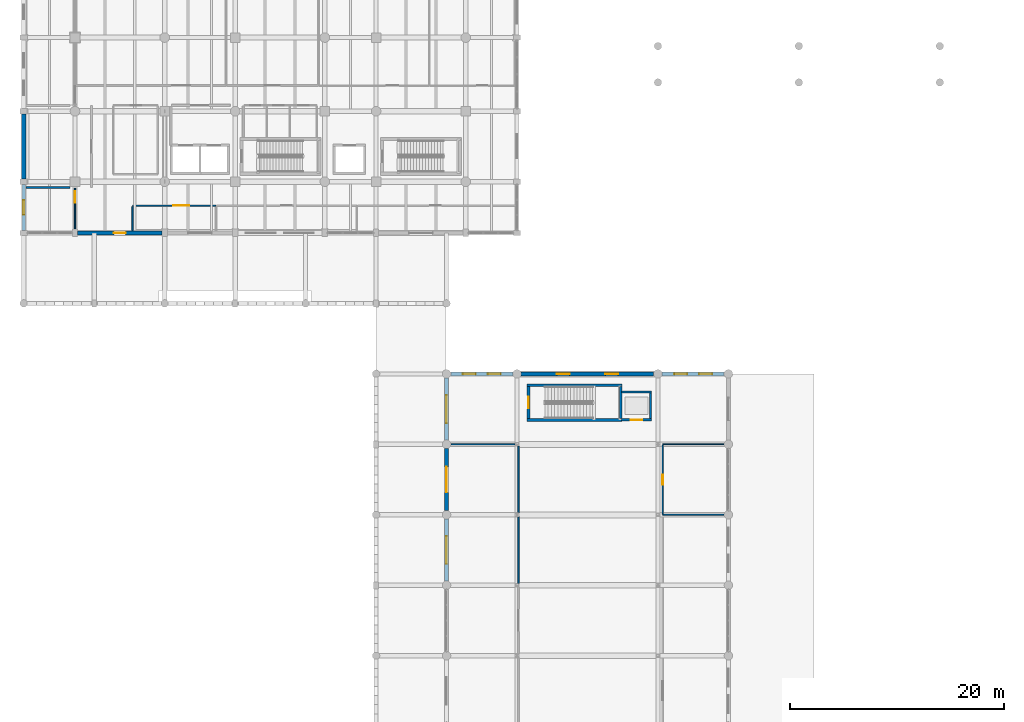
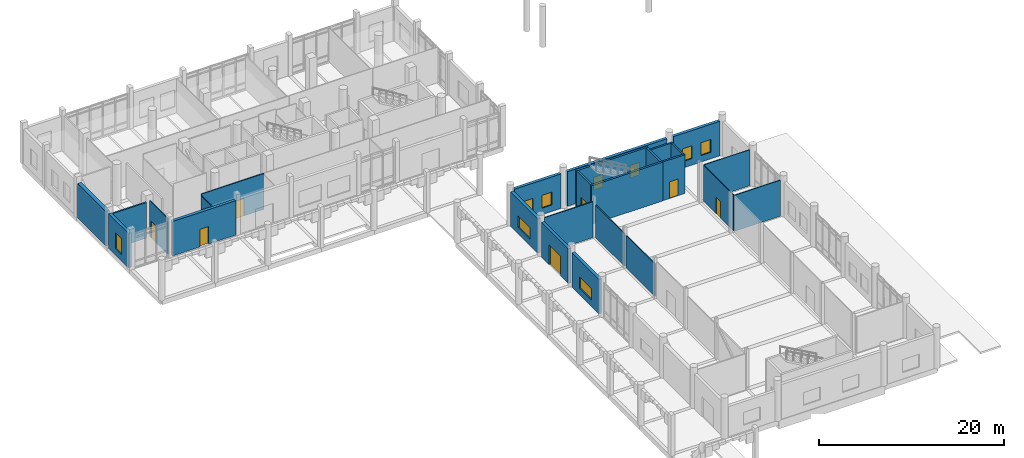
# One storey, part 48 of 72: 26 walls, 9 windows, 7 doors, 16 openings.
"""IFC4 building model written with IfcOpenShell, lengths in metres."""

from ifc_helpers import new_model, si_unit, direction, frame, frame_2d, origin, place, context, subcontext, project, spatial, rectangle, extrude, material, layer, layer_set, type_object, element, fill, save


model = new_model("IFC4")

# Units and contexts
model_context = context("Model", 3, precision=1e-05, world=origin(), true_north=direction((0.0, 1.0)))
body_context = subcontext(model_context, "Body", "Model", "MODEL_VIEW")
ifc_project = project(units=[si_unit("LENGTHUNIT", "METRE"), si_unit("AREAUNIT", "SQUARE_METRE"), si_unit("VOLUMEUNIT", "CUBIC_METRE"), si_unit("PLANEANGLEUNIT", "RADIAN"), si_unit("MASSUNIT", "GRAM", prefix="KILO")], contexts=[model_context])

# Site, building, storey
site_placement = place(None, origin())
site = spatial("IfcSite", under=ifc_project, at=site_placement, CompositionType="ELEMENT")
building_placement = place(site_placement, origin())
building = spatial("IfcBuilding", under=site, at=building_placement, Name="Dornvale Research Institute", CompositionType="ELEMENT")
storey_placement = place(building_placement, origin())
storey = spatial("IfcBuildingStorey", under=building, at=storey_placement, Name="L00", CompositionType="ELEMENT", Elevation=0.0)

# Wall, opening, door
ifc_material_1 = material(Name="Acoustic Insulated Double-Stud Laboratory Partition")
ifc_layer_1 = layer(ifc_material_1, 0.1201171875)
ifc_layer_set_1 = layer_set([ifc_layer_1], Name="Acoustic Insulated Double-Stud Laboratory Partition")
wall_type_1 = type_object("IfcWallType", Name="Partition_Dry_120", PredefinedType="PARTITIONING", material=ifc_layer_set_1)
wall_1_placement = place(storey_placement, frame((10.199951171875, 101.550048828125, 0.0), z_axis=(0.0, 0.0, 1.0), x_axis=(1.0, 0.0, 0.0)))
wall_1 = element("IfcWall", 1, at=wall_1_placement, inside=storey, type_object=wall_type_1, Name="L00 V5 interior partition #85", PredefinedType="PARTITIONING", context=body_context, shape_type="SweptSolid", body=[
    extrude(rectangle(XDim=7.800048828125, YDim=0.1201171875, at=frame_2d((3.89990234375, 0.0))), origin(), (0.0, 0.0, 1.0), 4.72998046875),
])
opening_1_placement = place(wall_1_placement, frame((3.81005859375, 0.0, 0.0)))
opening_1 = element("IfcOpeningElement", 2, at=opening_1_placement, cuts=wall_1, Name="Opening ID-13", PredefinedType="OPENING", context=body_context, shape_type="SweptSolid", body=[
    extrude(rectangle(XDim=1.47998046875, YDim=2.300048828125, at=frame_2d((0.739990234375, 1.14990234375))), frame((0.0, 0.074951171875, 0.0), z_axis=(0.0, -1.0, 0.0), x_axis=(1.0, 0.0, 0.0)), (0.0, 0.0, 1.0), 0.150146484375),
])
ifc_material_2 = material(Name="Insulated Fire-Rated Hollow Metal Door Assembly")
door_type_1 = type_object("IfcDoorType", Name="Door_Archive_1480x2300", OperationType="SINGLE_SWING_LEFT", PredefinedType="DOOR", material=ifc_material_2)
door_1_placement = place(opening_1_placement, origin())
door_1 = element("IfcDoor", 3, at=door_1_placement, inside=storey, type_object=door_type_1, Name="L00 Institute Fellows Reading Room door #38", OperationType="SINGLE_SWING_LEFT", OverallHeight=2.300048828125, OverallWidth=1.47998046875, PredefinedType="DOOR", context=body_context, shape_type="SweptSolid", body=[
    extrude(rectangle(XDim=1.47998046875, YDim=2.300048828125, at=frame_2d((0.739990234375, 1.14990234375))), frame((0.0, 0.02490234375, 0.0), z_axis=(0.0, -1.0, 0.0), x_axis=(1.0, 0.0, 0.0)), (0.0, 0.0, 1.0), 0.050048828125),
])
fill(opening_1, door_1)

# Walls
wall_2_placement = place(storey_placement, frame((10.199951171875, 99.195068359375, 0.0), z_axis=(0.0, 0.0, 1.0), x_axis=(0.0, 1.0, 0.0)))
element("IfcWall", 4, at=wall_2_placement, inside=storey, type_object=wall_type_1, Name="L00 V5 interior partition #86", PredefinedType="PARTITIONING", context=body_context, shape_type="SweptSolid", body=[
    extrude(rectangle(XDim=2.280029296875, YDim=0.1201171875, at=frame_2d((1.14013671875, 0.0))), origin(), (0.0, 0.0, 1.0), 4.530029296875),
])
wall_3_placement = place(storey_placement, frame((40.02001953125, 79.199951171875, 0.0), z_axis=(0.0, 0.0, 1.0), x_axis=(1.0, 0.0, 0.0)))
element("IfcWall", 5, at=wall_3_placement, inside=storey, type_object=wall_type_1, Name="L00 V2 interior partition #131", PredefinedType="PARTITIONING", context=body_context, shape_type="SweptSolid", body=[
    extrude(rectangle(XDim=6.007568359375, YDim=0.1201171875, at=frame_2d((3.00390625, 0.0))), origin(), (0.0, 0.0, 1.0), 4.72998046875),
])
for number, where, z_axis, x_axis, name in (
    (6, (46.35009765625, 66.172607421875, 0.0), (0.0, 0.0, 1.0), (0.0, 1.0, 0.0), "L00 V2 interior partition #135"),
    (7, (46.35009765625, 72.798095703125, 0.0), (0.0, 0.0, 1.0), (0.0, 1.0, 0.0), "L00 V2 interior partition #136"),
):
    element("IfcWall", number, at=place(storey_placement, frame(where, z_axis=z_axis, x_axis=x_axis)), inside=storey, type_object=wall_type_1, Name=name, PredefinedType="PARTITIONING", context=body_context, shape_type="SweptSolid", body=[
        extrude(rectangle(XDim=6.2294921875, YDim=0.1201171875, at=frame_2d((3.11474609375, 0.0))), origin(), (0.0, 0.0, 1.0), 4.280029296875),
    ])
wall_4_placement = place(storey_placement, frame((59.85009765625, 72.60009765625, 0.0), z_axis=(0.0, 0.0, 1.0), x_axis=(1.0, 0.0, 0.0)))
element("IfcWall", 8, at=wall_4_placement, inside=storey, type_object=wall_type_1, Name="L00 V2 interior partition #138", PredefinedType="PARTITIONING", context=body_context, shape_type="SweptSolid", body=[
    extrude(rectangle(XDim=5.72998046875, YDim=0.1201171875, at=frame_2d((2.864990234375, 0.0))), origin(), (0.0, 0.0, 1.0), 4.72998046875),
])
ifc_material_3 = material(Name="Fire-Rated Gypsum Board on Cold-Formed Steel Studs", Category="steel")
ifc_layer_2 = layer(ifc_material_3, 0.199951171875)
ifc_layer_set_2 = layer_set([ifc_layer_2], Name="Fire-Rated Gypsum Board on Cold-Formed Steel Studs")
wall_type_2 = type_object("IfcWallType", Name="Partition_FireWall_200", PredefinedType="PARTITIONING", material=ifc_layer_set_2)
wall_5_placement = place(storey_placement, frame((0.195068359375, 103.25, 0.0), z_axis=(0.0, 0.0, 1.0), x_axis=(1.0, 0.0, 0.0)))
element("IfcWall", 9, at=wall_5_placement, inside=storey, type_object=wall_type_2, Name="L00 V5 interior partition #68", PredefinedType="PARTITIONING", context=body_context, shape_type="SweptSolid", body=[
    extrude(rectangle(XDim=4.135009765625, YDim=0.199951171875, at=frame_2d((2.0673828125, 0.0))), origin(), (0.0, 0.0, 1.0), 4.679931640625),
])

# Wall, opening, door
ifc_material_4 = material(Name="Acoustic Insulated Double-Stud Laboratory Partition")
ifc_layer_3 = layer(ifc_material_4, 0.10009765625)
ifc_layer_set_3 = layer_set([ifc_layer_3], Name="Acoustic Insulated Double-Stud Laboratory Partition")
wall_type_3 = type_object("IfcWallType", Name="Partition_Office_100", PredefinedType="PARTITIONING", material=ifc_layer_set_3)
wall_6_placement = place(storey_placement, frame((4.800048828125, 99.3701171875, 0.0), z_axis=(0.0, 0.0, 1.0), x_axis=(0.0, 1.0, 0.0)))
wall_6 = element("IfcWall", 10, at=wall_6_placement, inside=storey, type_object=wall_type_3, Name="L00 V5 interior partition #84", PredefinedType="PARTITIONING", context=body_context, shape_type="SweptSolid", body=[
    extrude(rectangle(XDim=3.829833984375, YDim=0.10009765625, at=frame_2d((1.9150390625, 0.0))), origin(), (0.0, 0.0, 1.0), 4.72998046875),
])
opening_2_placement = place(wall_6_placement, frame((2.47998046875, 0.0, 0.0)))
opening_2 = element("IfcOpeningElement", 11, at=opening_2_placement, cuts=wall_6, Name="Opening ID-19", PredefinedType="OPENING", context=body_context, shape_type="SweptSolid", body=[
    extrude(rectangle(XDim=1.06005859375, YDim=2.199951171875, at=frame_2d((0.530029296875, 1.10009765625))), frame((0.0, 0.06494140625, 0.0), z_axis=(0.0, -1.0, 0.0), x_axis=(1.0, 0.0, 0.0)), (0.0, 0.0, 1.0), 0.130126953125),
])
ifc_material_5 = material(Name="Phenolic-Faced Solid-Core Laboratory Door Assembly")
door_type_2 = type_object("IfcDoorType", Name="Door_WriteUp_1060x2200", OperationType="SINGLE_SWING_LEFT", PredefinedType="DOOR", material=ifc_material_5)
door_2_placement = place(opening_2_placement, origin())
door_2 = element("IfcDoor", 12, at=door_2_placement, inside=storey, type_object=door_type_2, Name="L00 Research Instrument Study L00 door #37", OperationType="SINGLE_SWING_RIGHT", OverallHeight=2.199951171875, OverallWidth=1.06005859375, PredefinedType="DOOR", context=body_context, shape_type="SweptSolid", body=[
    extrude(rectangle(XDim=1.06005859375, YDim=2.199951171875, at=frame_2d((0.530029296875, 1.10009765625))), frame((0.0, 0.02490234375, 0.0), z_axis=(0.0, -1.0, 0.0), x_axis=(1.0, 0.0, 0.0)), (0.0, 0.0, 1.0), 0.050048828125),
])
fill(opening_2, door_2)

# Wall
wall_7_placement = place(storey_placement, frame((59.85009765625, 79.199951171875, 0.0), z_axis=(0.0, 0.0, 1.0), x_axis=(1.0, 0.0, 0.0)))
element("IfcWall", 13, at=wall_7_placement, inside=storey, type_object=wall_type_3, Name="L00 V2 interior partition #140", PredefinedType="PARTITIONING", context=body_context, shape_type="SweptSolid", body=[
    extrude(rectangle(XDim=5.72998046875, YDim=0.10009765625, at=frame_2d((2.864990234375, 0.0))), origin(), (0.0, 0.0, 1.0), 4.72998046875),
])

# Wall, opening, door
wall_8_placement = place(storey_placement, frame((59.85009765625, 72.675048828125, 0.0), z_axis=(0.0, 0.0, 1.0), x_axis=(0.0, 1.0, 0.0)))
wall_8 = element("IfcWall", 14, at=wall_8_placement, inside=storey, type_object=wall_type_3, Name="L00 V2 interior partition #141", PredefinedType="PARTITIONING", context=body_context, shape_type="SweptSolid", body=[
    extrude(rectangle(XDim=6.4599609375, YDim=0.10009765625, at=frame_2d((3.22998046875, 0.0))), origin(), (0.0, 0.0, 1.0), 4.72998046875),
])
opening_3_placement = place(wall_8_placement, frame((2.75, 0.0, 0.0)))
opening_3 = element("IfcOpeningElement", 15, at=opening_3_placement, cuts=wall_8, Name="Opening ID-23", PredefinedType="OPENING", context=body_context, shape_type="SweptSolid", body=[
    extrude(rectangle(XDim=0.949951171875, YDim=2.14990234375, at=frame_2d((0.47509765625, 1.074951171875))), frame((0.0, 0.06494140625, 0.0), z_axis=(0.0, -1.0, 0.0), x_axis=(1.0, 0.0, 0.0)), (0.0, 0.0, 1.0), 0.130126953125),
])
ifc_material_6 = material(Name="Phenolic-Faced Solid-Core Laboratory Door Assembly")
door_type_3 = type_object("IfcDoorType", Name="Door_WC_950x2150", OperationType="SINGLE_SWING_LEFT", PredefinedType="DOOR", material=ifc_material_6)
door_3_placement = place(opening_3_placement, origin())
door_3 = element("IfcDoor", 16, at=door_3_placement, inside=storey, type_object=door_type_3, Name="L00 Atrium Public and Accessible Restrooms L00 door #57", OperationType="SINGLE_SWING_RIGHT", OverallHeight=2.14990234375, OverallWidth=0.949951171875, PredefinedType="DOOR", context=body_context, shape_type="SweptSolid", body=[
    extrude(rectangle(XDim=0.949951171875, YDim=2.14990234375, at=frame_2d((0.47509765625, 1.074951171875))), frame((0.0, 0.02490234375, 0.0), z_axis=(0.0, -1.0, 0.0), x_axis=(1.0, 0.0, 0.0)), (0.0, 0.0, 1.0), 0.050048828125),
])
fill(opening_3, door_3)

# Walls
ifc_material_7 = material(Name="Concrete f'c 45 MPa (C35/45)", Category="concrete")
ifc_layer_4 = layer(ifc_material_7, 0.25)
ifc_layer_set_4 = layer_set([ifc_layer_4], Name="Concrete f'c 45 MPa (C35/45)")
wall_type_4 = type_object("IfcWallType", Name="ShearWall_Core_250", PredefinedType="SHEAR", material=ifc_layer_set_4)
for number, where, z_axis, x_axis, name in (
    (17, (47.14990234375, 81.47509765625, 0.0), (0.0, 0.0, 1.0), (1.0, 0.0, 0.0), "L00 ST-8 shaft shear wall south"),
    (18, (47.14990234375, 84.72509765625, 0.0), (0.0, 0.0, 1.0), (1.0, 0.0, 0.0), "L00 ST-8 shaft shear wall north"),
):
    element("IfcWall", number, at=place(storey_placement, frame(where, z_axis=z_axis, x_axis=x_axis)), inside=storey, type_object=wall_type_4, Name=name, PredefinedType="SHEAR", context=body_context, shape_type="SweptSolid", body=[
        extrude(rectangle(XDim=8.900146484375, YDim=0.25, at=frame_2d((4.4501953125, 0.0))), origin(), (0.0, 0.0, 1.0), 5.10009765625),
    ])

# Wall, opening, door
wall_9_placement = place(storey_placement, frame((47.27490234375, 81.60009765625, 0.0), z_axis=(0.0, 0.0, 1.0), x_axis=(0.0, 1.0, 0.0)))
wall_9 = element("IfcWall", 19, at=wall_9_placement, inside=storey, type_object=wall_type_4, Name="L00 ST-8 shaft shear wall west", PredefinedType="SHEAR", context=body_context, shape_type="SweptSolid", body=[
    extrude(rectangle(XDim=3.0, YDim=0.25, at=frame_2d((1.5, 0.0))), origin(), (0.0, 0.0, 1.0), 5.10009765625),
])
opening_4_placement = place(wall_9_placement, frame((0.9599609375, 0.0, 0.0)))
opening_4 = element("IfcOpeningElement", 20, at=opening_4_placement, cuts=wall_9, Name="Opening SD-02", PredefinedType="OPENING", context=body_context, shape_type="SweptSolid", body=[
    extrude(rectangle(XDim=1.080078125, YDim=2.199951171875, at=frame_2d((0.5400390625, 1.10009765625))), frame((0.0, 0.139892578125, 0.0), z_axis=(0.0, -1.0, 0.0), x_axis=(1.0, 0.0, 0.0)), (0.0, 0.0, 1.0), 0.280029296875),
])
ifc_material_8 = material(Name="Insulated Fire-Rated Hollow Metal Door Assembly")
door_type_4 = type_object("IfcDoorType", Name="Door_Stair_1080x2200", OperationType="SINGLE_SWING_LEFT", PredefinedType="DOOR", material=ifc_material_8)
door_4_placement = place(opening_4_placement, origin())
door_4 = element("IfcDoor", 21, at=door_4_placement, inside=storey, type_object=door_type_4, Name="L00 ST-8 exit stair door #55", OperationType="SINGLE_SWING_LEFT", OverallHeight=2.199951171875, OverallWidth=1.080078125, PredefinedType="DOOR", context=body_context, shape_type="SweptSolid", body=[
    extrude(rectangle(XDim=1.080078125, YDim=2.199951171875, at=frame_2d((0.5400390625, 1.10009765625))), frame((0.0, 0.02490234375, 0.0), z_axis=(0.0, -1.0, 0.0), x_axis=(1.0, 0.0, 0.0)), (0.0, 0.0, 1.0), 0.050048828125),
])
fill(opening_4, door_4)

# Wall
wall_10_placement = place(storey_placement, frame((55.925048828125, 81.60009765625, 0.0), z_axis=(0.0, 0.0, 1.0), x_axis=(0.0, 1.0, 0.0)))
element("IfcWall", 22, at=wall_10_placement, inside=storey, type_object=wall_type_4, Name="L00 ST-8 shaft shear wall east", PredefinedType="SHEAR", context=body_context, shape_type="SweptSolid", body=[
    extrude(rectangle(XDim=3.0, YDim=0.25, at=frame_2d((1.5, 0.0))), origin(), (0.0, 0.0, 1.0), 5.10009765625),
])

# Wall, opening, door
ifc_material_9 = material(Name="Concrete f'c 45 MPa (C35/45)", Category="concrete")
ifc_layer_5 = layer(ifc_material_9, 0.219970703125)
ifc_layer_set_5 = layer_set([ifc_layer_5], Name="Concrete f'c 45 MPa (C35/45)")
wall_type_5 = type_object("IfcWallType", Name="ShearWall_Shaft_220", PredefinedType="SHEAR", material=ifc_layer_set_5)
wall_11_placement = place(storey_placement, frame((55.97998046875, 81.489990234375, 0.0), z_axis=(0.0, 0.0, 1.0), x_axis=(1.0, 0.0, 0.0)))
wall_11 = element("IfcWall", 23, at=wall_11_placement, inside=storey, type_object=wall_type_5, Name="L00 LP3 elevator shaft wall south", PredefinedType="SHEAR", context=body_context, shape_type="SweptSolid", body=[
    extrude(rectangle(XDim=2.840087890625, YDim=0.219970703125, at=frame_2d((1.419921875, 0.0))), origin(), (0.0, 0.0, 1.0), 5.10009765625),
])
opening_5_placement = place(wall_11_placement, frame((0.8701171875, 0.0, 0.0)))
opening_5 = element("IfcOpeningElement", 24, at=opening_5_placement, cuts=wall_11, Name="Opening LD-02", PredefinedType="OPENING", context=body_context, shape_type="SweptSolid", body=[
    extrude(rectangle(XDim=1.10009765625, YDim=2.199951171875, at=frame_2d((0.550048828125, 1.10009765625))), frame((0.0, 0.125, 0.0), z_axis=(0.0, -1.0, 0.0), x_axis=(1.0, 0.0, 0.0)), (0.0, 0.0, 1.0), 0.25),
])
ifc_material_10 = material(Name="Brushed Stainless Steel Sliding Elevator Landing Door", Category="steel")
door_type_5 = type_object("IfcDoorType", Name="Door_LiftLanding_Pass_1100x2200", OperationType="SINGLE_SWING_LEFT", PredefinedType="DOOR", material=ifc_material_10)
door_5_placement = place(opening_5_placement, origin())
door_5 = element("IfcDoor", 25, at=door_5_placement, inside=storey, type_object=door_type_5, Name="L00 LP3 sliding elevator landing door #58", OperationType="SLIDING_TO_LEFT", OverallHeight=2.199951171875, OverallWidth=1.10009765625, PredefinedType="DOOR", context=body_context, shape_type="SweptSolid", body=[
    extrude(rectangle(XDim=1.10009765625, YDim=2.199951171875, at=frame_2d((0.550048828125, 1.10009765625))), frame((0.0, 0.02490234375, 0.0), z_axis=(0.0, -1.0, 0.0), x_axis=(1.0, 0.0, 0.0)), (0.0, 0.0, 1.0), 0.050048828125),
])
fill(opening_5, door_5)

# Walls
wall_12_placement = place(storey_placement, frame((55.97998046875, 84.110107421875, 0.0), z_axis=(0.0, 0.0, 1.0), x_axis=(1.0, 0.0, 0.0)))
element("IfcWall", 26, at=wall_12_placement, inside=storey, type_object=wall_type_5, Name="L00 LP3 elevator shaft wall north", PredefinedType="SHEAR", context=body_context, shape_type="SweptSolid", body=[
    extrude(rectangle(XDim=2.840087890625, YDim=0.219970703125, at=frame_2d((1.419921875, 0.0))), origin(), (0.0, 0.0, 1.0), 5.10009765625),
])
wall_13_placement = place(storey_placement, frame((58.7099609375, 81.60009765625, 0.0), z_axis=(0.0, 0.0, 1.0), x_axis=(0.0, 1.0, 0.0)))
element("IfcWall", 27, at=wall_13_placement, inside=storey, type_object=wall_type_5, Name="L00 LP3 elevator shaft wall east", PredefinedType="SHEAR", context=body_context, shape_type="SweptSolid", body=[
    extrude(rectangle(XDim=2.39990234375, YDim=0.219970703125, at=frame_2d((1.199951171875, 0.0))), origin(), (0.0, 0.0, 1.0), 5.10009765625),
])
ifc_material_11 = material(Name="Precast Concrete f'c 40 MPa (C32/40) and Glazed Terracotta Backup Wall", Category="masonry")
ifc_layer_6 = layer(ifc_material_11, 0.449951171875)
ifc_layer_set_6 = layer_set([ifc_layer_6], Name="Precast Concrete f'c 40 MPa (C32/40) and Glazed Terracotta Backup Wall")
wall_type_6 = type_object("IfcWallType", Name="SolidWall_ShearBraceBay_450", PredefinedType="SOLIDWALL", material=ifc_layer_set_6)
wall_14_placement = place(storey_placement, frame((0.0, 104.050048828125, 0.0), z_axis=(0.0, 0.0, 1.0), x_axis=(0.0, 1.0, 0.0)))
element("IfcWall", 28, at=wall_14_placement, inside=storey, type_object=wall_type_6, Name="L00 V5 west exterior wall #290", PredefinedType="SOLIDWALL", context=body_context, shape_type="SweptSolid", body=[
    extrude(rectangle(XDim=6.099853515625, YDim=0.449951171875, at=frame_2d((3.0498046875, 0.0))), origin(), (0.0, 0.0, 1.0), 4.550048828125),
])

# Wall, opening, window
ifc_material_12 = material(Name="Catalan Pressed Brick and Insulated Cavity Assembly", Category="masonry")
ifc_layer_7 = layer(ifc_material_12, 0.360107421875)
ifc_layer_set_7 = layer_set([ifc_layer_7], Name="Catalan Pressed Brick and Insulated Cavity Assembly")
wall_type_7 = type_object("IfcWallType", Name="StandardWall_BrickCavity_360", PredefinedType="STANDARD", material=ifc_layer_set_7)
wall_15_placement = place(storey_placement, frame((39.60009765625, 66.39501953125, 0.0), z_axis=(0.0, 0.0, 1.0), x_axis=(0.0, 1.0, 0.0)))
wall_15 = element("IfcWall", 29, at=wall_15_placement, inside=storey, type_object=wall_type_7, Name="L00 V2 west exterior wall #52", PredefinedType="STANDARD", context=body_context, shape_type="SweptSolid", body=[
    extrude(rectangle(XDim=5.81005859375, YDim=0.360107421875, at=frame_2d((2.905029296875, 0.0))), origin(), (0.0, 0.0, 1.0), 4.550048828125),
])
opening_6_placement = place(wall_15_placement, frame((1.60498046875, 0.0, 0.85009765625)))
opening_6 = element("IfcOpeningElement", 30, at=opening_6_placement, cuts=wall_15, Name="Opening W-10", PredefinedType="OPENING", context=body_context, shape_type="SweptSolid", body=[
    extrude(rectangle(XDim=2.60009765625, YDim=1.5, at=frame_2d((1.300048828125, 0.75))), frame((0.0, 0.195068359375, 0.0), z_axis=(0.0, -1.0, 0.0), x_axis=(1.0, 0.0, 0.0)), (0.0, 0.0, 1.0), 0.39013671875),
])
ifc_material_13 = material(Name="Low-E Argon Double Insulating Glazing Unit", Category="glass")
window_type_1 = type_object("IfcWindowType", Name="Window_Alu_2600x1500_10", PartitioningType="DOUBLE_PANEL_VERTICAL", PredefinedType="WINDOW", material=ifc_material_13)
window_1_placement = place(opening_6_placement, origin())
window_1 = element("IfcWindow", 31, at=window_1_placement, inside=storey, type_object=window_type_1, Name="L00 V2 facade window W-10 #64", OverallHeight=1.5, OverallWidth=2.60009765625, PartitioningType="DOUBLE_PANEL_VERTICAL", PredefinedType="WINDOW", context=body_context, shape_type="SweptSolid", body=[
    extrude(rectangle(XDim=2.60009765625, YDim=1.5, at=frame_2d((1.300048828125, 0.75))), frame((0.0, 0.030029296875, 0.0), z_axis=(0.0, -1.0, 0.0), x_axis=(1.0, 0.0, 0.0)), (0.0, 0.0, 1.0), 0.06005859375),
])
fill(opening_6, window_1)

# Wall, opening, door
wall_16_placement = place(storey_placement, frame((39.60009765625, 72.9951171875, 0.0), z_axis=(0.0, 0.0, 1.0), x_axis=(0.0, 1.0, 0.0)))
wall_16 = element("IfcWall", 32, at=wall_16_placement, inside=storey, type_object=wall_type_7, Name="L00 V2 west exterior wall #53", PredefinedType="STANDARD", context=body_context, shape_type="SweptSolid", body=[
    extrude(rectangle(XDim=5.809814453125, YDim=0.360107421875, at=frame_2d((2.90478515625, 0.0))), origin(), (0.0, 0.0, 1.0), 4.550048828125),
])
opening_7_placement = place(wall_16_placement, frame((1.705078125, 0.0, 0.0)))
opening_7 = element("IfcOpeningElement", 33, at=opening_7_placement, cuts=wall_16, Name="Opening ED-01", PredefinedType="OPENING", context=body_context, shape_type="SweptSolid", body=[
    extrude(rectangle(XDim=2.39990234375, YDim=2.60009765625, at=frame_2d((1.199951171875, 1.300048828125))), frame((0.0, 0.195068359375, 0.0), z_axis=(0.0, -1.0, 0.0), x_axis=(1.0, 0.0, 0.0)), (0.0, 0.0, 1.0), 0.39013671875),
])
ifc_material_14 = material(Name="Galvanized Hollow Metal Insulated Door Assembly")
door_type_6 = type_object("IfcDoorType", Name="Door_ExtPortal_2400x2600", OperationType="SINGLE_SWING_LEFT", PredefinedType="DOOR", material=ifc_material_14)
door_6_placement = place(opening_7_placement, origin())
door_6 = element("IfcDoor", 34, at=door_6_placement, inside=storey, type_object=door_type_6, Name="L00 V2 final exit door ED-01 #7", OperationType="DOUBLE_DOOR_SINGLE_SWING", OverallHeight=2.60009765625, OverallWidth=2.39990234375, PredefinedType="DOOR", context=body_context, shape_type="SweptSolid", body=[
    extrude(rectangle(XDim=2.39990234375, YDim=2.60009765625, at=frame_2d((1.199951171875, 1.300048828125))), frame((0.0, 0.02490234375, 0.0), z_axis=(0.0, -1.0, 0.0), x_axis=(1.0, 0.0, 0.0)), (0.0, 0.0, 1.0), 0.050048828125),
])
fill(opening_7, door_6)

# Wall, opening, window
wall_17_placement = place(storey_placement, frame((39.60009765625, 79.594970703125, 0.0), z_axis=(0.0, 0.0, 1.0), x_axis=(0.0, 1.0, 0.0)))
wall_17 = element("IfcWall", 35, at=wall_17_placement, inside=storey, type_object=wall_type_7, Name="L00 V2 west exterior wall #54", PredefinedType="STANDARD", context=body_context, shape_type="SweptSolid", body=[
    extrude(rectangle(XDim=5.81005859375, YDim=0.360107421875, at=frame_2d((2.905029296875, 0.0))), origin(), (0.0, 0.0, 1.0), 4.550048828125),
])
opening_8_placement = place(wall_17_placement, frame((1.60498046875, 0.0, 0.85009765625)))
opening_8 = element("IfcOpeningElement", 36, at=opening_8_placement, cuts=wall_17, Name="Opening W-10", PredefinedType="OPENING", context=body_context, shape_type="SweptSolid", body=[
    extrude(rectangle(XDim=2.60009765625, YDim=1.5, at=frame_2d((1.300048828125, 0.75))), frame((0.0, 0.195068359375, 0.0), z_axis=(0.0, -1.0, 0.0), x_axis=(1.0, 0.0, 0.0)), (0.0, 0.0, 1.0), 0.39013671875),
])
window_2_placement = place(opening_8_placement, origin())
window_2 = element("IfcWindow", 37, at=window_2_placement, inside=storey, type_object=window_type_1, Name="L00 V2 facade window W-10 #65", OverallHeight=1.5, OverallWidth=2.60009765625, PartitioningType="DOUBLE_PANEL_VERTICAL", PredefinedType="WINDOW", context=body_context, shape_type="SweptSolid", body=[
    extrude(rectangle(XDim=2.60009765625, YDim=1.5, at=frame_2d((1.300048828125, 0.75))), frame((0.0, 0.030029296875, 0.0), z_axis=(0.0, -1.0, 0.0), x_axis=(1.0, 0.0, 0.0)), (0.0, 0.0, 1.0), 0.06005859375),
])
fill(opening_8, window_2)

# Wall, openings, windows
wall_18_placement = place(storey_placement, frame((39.9951171875, 85.800048828125, 0.0), z_axis=(0.0, 0.0, 1.0), x_axis=(1.0, 0.0, 0.0)))
wall_18 = element("IfcWall", 38, at=wall_18_placement, inside=storey, type_object=wall_type_7, Name="L00 V2 north exterior wall #55", PredefinedType="STANDARD", context=body_context, shape_type="SweptSolid", body=[
    extrude(rectangle(XDim=5.809814453125, YDim=0.360107421875, at=frame_2d((2.90478515625, 0.0))), origin(), (0.0, 0.0, 1.0), 4.550048828125),
])
opening_9_placement = place(wall_18_placement, frame((1.13671875, 0.0, 0.85009765625)))
opening_9 = element("IfcOpeningElement", 39, at=opening_9_placement, cuts=wall_18, Name="Opening W-13", PredefinedType="OPENING", context=body_context, shape_type="SweptSolid", body=[
    extrude(rectangle(XDim=1.199951171875, YDim=1.699951171875, at=frame_2d((0.60009765625, 0.85009765625))), frame((0.0, 0.195068359375, 0.0), z_axis=(0.0, -1.0, 0.0), x_axis=(1.0, 0.0, 0.0)), (0.0, 0.0, 1.0), 0.39013671875),
])
opening_10_placement = place(wall_18_placement, frame((3.473388671875, 0.0, 0.85009765625)))
opening_10 = element("IfcOpeningElement", 40, at=opening_10_placement, cuts=wall_18, Name="Opening W-13", PredefinedType="OPENING", context=body_context, shape_type="SweptSolid", body=[
    extrude(rectangle(XDim=1.199951171875, YDim=1.699951171875, at=frame_2d((0.60009765625, 0.85009765625))), frame((0.0, 0.195068359375, 0.0), z_axis=(0.0, -1.0, 0.0), x_axis=(1.0, 0.0, 0.0)), (0.0, 0.0, 1.0), 0.39013671875),
])
ifc_material_15 = material(Name="Low-E Argon Double Insulating Glazing Unit", Category="glass")
window_type_2 = type_object("IfcWindowType", Name="Window_Alu_1200x1700_13", PartitioningType="SINGLE_PANEL", PredefinedType="WINDOW", material=ifc_material_15)
window_3_placement = place(opening_9_placement, origin())
window_3 = element("IfcWindow", 41, at=window_3_placement, inside=storey, type_object=window_type_2, Name="L00 V2 facade window W-13 #66", OverallHeight=1.699951171875, OverallWidth=1.199951171875, PartitioningType="SINGLE_PANEL", PredefinedType="WINDOW", context=body_context, shape_type="SweptSolid", body=[
    extrude(rectangle(XDim=1.199951171875, YDim=1.699951171875, at=frame_2d((0.60009765625, 0.85009765625))), frame((0.0, 0.030029296875, 0.0), z_axis=(0.0, -1.0, 0.0), x_axis=(1.0, 0.0, 0.0)), (0.0, 0.0, 1.0), 0.06005859375),
])
fill(opening_9, window_3)
window_4_placement = place(opening_10_placement, origin())
window_4 = element("IfcWindow", 42, at=window_4_placement, inside=storey, type_object=window_type_2, Name="L00 V2 facade window W-13 #67", OverallHeight=1.699951171875, OverallWidth=1.199951171875, PartitioningType="SINGLE_PANEL", PredefinedType="WINDOW", context=body_context, shape_type="SweptSolid", body=[
    extrude(rectangle(XDim=1.199951171875, YDim=1.699951171875, at=frame_2d((0.60009765625, 0.85009765625))), frame((0.0, 0.030029296875, 0.0), z_axis=(0.0, -1.0, 0.0), x_axis=(1.0, 0.0, 0.0)), (0.0, 0.0, 1.0), 0.06005859375),
])
fill(opening_10, window_4)

wall_19_placement = place(storey_placement, frame((46.594970703125, 85.800048828125, 0.0), z_axis=(0.0, 0.0, 1.0), x_axis=(1.0, 0.0, 0.0)))
wall_19 = element("IfcWall", 43, at=wall_19_placement, inside=storey, type_object=wall_type_7, Name="L00 V2 north exterior wall #56", PredefinedType="STANDARD", context=body_context, shape_type="SweptSolid", body=[
    extrude(rectangle(XDim=12.409912109375, YDim=0.360107421875, at=frame_2d((6.205078125, 0.0))), origin(), (0.0, 0.0, 1.0), 4.550048828125),
])
opening_11_placement = place(wall_19_placement, frame((3.336669921875, 0.0, 0.85009765625)))
opening_11 = element("IfcOpeningElement", 44, at=opening_11_placement, cuts=wall_19, Name="Opening W-13", PredefinedType="OPENING", context=body_context, shape_type="SweptSolid", body=[
    extrude(rectangle(XDim=1.199951171875, YDim=1.699951171875, at=frame_2d((0.60009765625, 0.85009765625))), frame((0.0, 0.195068359375, 0.0), z_axis=(0.0, -1.0, 0.0), x_axis=(1.0, 0.0, 0.0)), (0.0, 0.0, 1.0), 0.39013671875),
])
opening_12_placement = place(wall_19_placement, frame((7.873291015625, 0.0, 0.85009765625)))
opening_12 = element("IfcOpeningElement", 45, at=opening_12_placement, cuts=wall_19, Name="Opening W-13", PredefinedType="OPENING", context=body_context, shape_type="SweptSolid", body=[
    extrude(rectangle(XDim=1.199951171875, YDim=1.699951171875, at=frame_2d((0.60009765625, 0.85009765625))), frame((0.0, 0.195068359375, 0.0), z_axis=(0.0, -1.0, 0.0), x_axis=(1.0, 0.0, 0.0)), (0.0, 0.0, 1.0), 0.39013671875),
])
window_5_placement = place(opening_11_placement, origin())
window_5 = element("IfcWindow", 46, at=window_5_placement, inside=storey, type_object=window_type_2, Name="L00 V2 facade window W-13 #68", OverallHeight=1.699951171875, OverallWidth=1.199951171875, PartitioningType="SINGLE_PANEL", PredefinedType="WINDOW", context=body_context, shape_type="SweptSolid", body=[
    extrude(rectangle(XDim=1.199951171875, YDim=1.699951171875, at=frame_2d((0.60009765625, 0.85009765625))), frame((0.0, 0.030029296875, 0.0), z_axis=(0.0, -1.0, 0.0), x_axis=(1.0, 0.0, 0.0)), (0.0, 0.0, 1.0), 0.06005859375),
])
fill(opening_11, window_5)
window_6_placement = place(opening_12_placement, origin())
window_6 = element("IfcWindow", 47, at=window_6_placement, inside=storey, type_object=window_type_2, Name="L00 V2 facade window W-13 #69", OverallHeight=1.699951171875, OverallWidth=1.199951171875, PartitioningType="SINGLE_PANEL", PredefinedType="WINDOW", context=body_context, shape_type="SweptSolid", body=[
    extrude(rectangle(XDim=1.199951171875, YDim=1.699951171875, at=frame_2d((0.60009765625, 0.85009765625))), frame((0.0, 0.030029296875, 0.0), z_axis=(0.0, -1.0, 0.0), x_axis=(1.0, 0.0, 0.0)), (0.0, 0.0, 1.0), 0.06005859375),
])
fill(opening_12, window_6)

wall_20_placement = place(storey_placement, frame((59.794921875, 85.800048828125, 0.0), z_axis=(0.0, 0.0, 1.0), x_axis=(1.0, 0.0, 0.0)))
wall_20 = element("IfcWall", 48, at=wall_20_placement, inside=storey, type_object=wall_type_7, Name="L00 V2 north exterior wall #57", PredefinedType="STANDARD", context=body_context, shape_type="SweptSolid", body=[
    extrude(rectangle(XDim=5.81005859375, YDim=0.360107421875, at=frame_2d((2.905029296875, 0.0))), origin(), (0.0, 0.0, 1.0), 4.550048828125),
])
opening_13_placement = place(wall_20_placement, frame((1.13671875, 0.0, 0.85009765625)))
opening_13 = element("IfcOpeningElement", 49, at=opening_13_placement, cuts=wall_20, Name="Opening W-13", PredefinedType="OPENING", context=body_context, shape_type="SweptSolid", body=[
    extrude(rectangle(XDim=1.199951171875, YDim=1.699951171875, at=frame_2d((0.60009765625, 0.85009765625))), frame((0.0, 0.195068359375, 0.0), z_axis=(0.0, -1.0, 0.0), x_axis=(1.0, 0.0, 0.0)), (0.0, 0.0, 1.0), 0.39013671875),
])
opening_14_placement = place(wall_20_placement, frame((3.473388671875, 0.0, 0.85009765625)))
opening_14 = element("IfcOpeningElement", 50, at=opening_14_placement, cuts=wall_20, Name="Opening W-13", PredefinedType="OPENING", context=body_context, shape_type="SweptSolid", body=[
    extrude(rectangle(XDim=1.199951171875, YDim=1.699951171875, at=frame_2d((0.60009765625, 0.85009765625))), frame((0.0, 0.195068359375, 0.0), z_axis=(0.0, -1.0, 0.0), x_axis=(1.0, 0.0, 0.0)), (0.0, 0.0, 1.0), 0.39013671875),
])
window_7_placement = place(opening_13_placement, origin())
window_7 = element("IfcWindow", 51, at=window_7_placement, inside=storey, type_object=window_type_2, Name="L00 V2 facade window W-13 #70", OverallHeight=1.699951171875, OverallWidth=1.199951171875, PartitioningType="SINGLE_PANEL", PredefinedType="WINDOW", context=body_context, shape_type="SweptSolid", body=[
    extrude(rectangle(XDim=1.199951171875, YDim=1.699951171875, at=frame_2d((0.60009765625, 0.85009765625))), frame((0.0, 0.030029296875, 0.0), z_axis=(0.0, -1.0, 0.0), x_axis=(1.0, 0.0, 0.0)), (0.0, 0.0, 1.0), 0.06005859375),
])
fill(opening_13, window_7)
window_8_placement = place(opening_14_placement, origin())
window_8 = element("IfcWindow", 52, at=window_8_placement, inside=storey, type_object=window_type_2, Name="L00 V2 facade window W-13 #71", OverallHeight=1.699951171875, OverallWidth=1.199951171875, PartitioningType="SINGLE_PANEL", PredefinedType="WINDOW", context=body_context, shape_type="SweptSolid", body=[
    extrude(rectangle(XDim=1.199951171875, YDim=1.699951171875, at=frame_2d((0.60009765625, 0.85009765625))), frame((0.0, 0.030029296875, 0.0), z_axis=(0.0, -1.0, 0.0), x_axis=(1.0, 0.0, 0.0)), (0.0, 0.0, 1.0), 0.06005859375),
])
fill(opening_14, window_8)

# Wall, opening, window
wall_21_placement = place(storey_placement, frame((0.0, 99.25, 0.0), z_axis=(0.0, 0.0, 1.0), x_axis=(0.0, 1.0, 0.0)))
wall_21 = element("IfcWall", 53, at=wall_21_placement, inside=storey, type_object=wall_type_7, Name="L00 V5 west exterior wall #289", PredefinedType="STANDARD", context=body_context, shape_type="SweptSolid", body=[
    extrude(rectangle(XDim=4.300048828125, YDim=0.360107421875, at=frame_2d((2.14990234375, 0.0))), origin(), (0.0, 0.0, 1.0), 4.550048828125),
])
opening_15_placement = place(wall_21_placement, frame((1.47509765625, 0.0, 0.85009765625)))
opening_15 = element("IfcOpeningElement", 54, at=opening_15_placement, cuts=wall_21, Name="Opening W-38", PredefinedType="OPENING", context=body_context, shape_type="SweptSolid", body=[
    extrude(rectangle(XDim=1.35009765625, YDim=2.080078125, at=frame_2d((0.675048828125, 1.0400390625))), frame((0.0, 0.195068359375, 0.0), z_axis=(0.0, -1.0, 0.0), x_axis=(1.0, 0.0, 0.0)), (0.0, 0.0, 1.0), 0.39013671875),
])
ifc_material_16 = material(Name="Low-E Argon Double Insulating Glazing Unit", Category="glass")
window_type_3 = type_object("IfcWindowType", Name="Window_Alu_1350x2080_38", PartitioningType="SINGLE_PANEL", PredefinedType="WINDOW", material=ifc_material_16)
window_9_placement = place(opening_15_placement, origin())
window_9 = element("IfcWindow", 55, at=window_9_placement, inside=storey, type_object=window_type_3, Name="L00 V5 facade window W-38 #403", OverallHeight=2.080078125, OverallWidth=1.35009765625, PartitioningType="SINGLE_PANEL", PredefinedType="WINDOW", context=body_context, shape_type="SweptSolid", body=[
    extrude(rectangle(XDim=1.35009765625, YDim=2.080078125, at=frame_2d((0.675048828125, 1.0400390625))), frame((0.0, 0.030029296875, 0.0), z_axis=(0.0, -1.0, 0.0), x_axis=(1.0, 0.0, 0.0)), (0.0, 0.0, 1.0), 0.06005859375),
])
fill(opening_15, window_9)

# Wall, opening, door
wall_22_placement = place(storey_placement, frame((12.949951171875, 99.0, 0.0), z_axis=(0.0, 0.0, 1.0), x_axis=(-1.0, 0.0, 0.0)))
wall_22 = element("IfcWall", 56, at=wall_22_placement, inside=storey, type_object=wall_type_7, Name="L00 V5 south exterior wall #302", PredefinedType="STANDARD", context=body_context, shape_type="SweptSolid", body=[
    extrude(rectangle(XDim=7.89990234375, YDim=0.360107421875, at=frame_2d((3.949951171875, 0.0))), origin(), (0.0, 0.0, 1.0), 4.530029296875),
])
opening_16_placement = place(wall_22_placement, frame((3.39990234375, 0.0, 0.0)))
opening_16 = element("IfcOpeningElement", 57, at=opening_16_placement, cuts=wall_22, Name="Opening ED-08", PredefinedType="OPENING", context=body_context, shape_type="SweptSolid", body=[
    extrude(rectangle(XDim=1.10009765625, YDim=2.300048828125, at=frame_2d((0.550048828125, 1.14990234375))), frame((0.0, 0.195068359375, 0.0), z_axis=(0.0, -1.0, 0.0), x_axis=(1.0, 0.0, 0.0)), (0.0, 0.0, 1.0), 0.39013671875),
])
ifc_material_17 = material(Name="Galvanized Hollow Metal Insulated Door Assembly")
door_type_7 = type_object("IfcDoorType", Name="Door_ExtSingle_1100x2300", OperationType="SINGLE_SWING_LEFT", PredefinedType="DOOR", material=ifc_material_17)
door_7_placement = place(opening_16_placement, origin())
door_7 = element("IfcDoor", 58, at=door_7_placement, inside=storey, type_object=door_type_7, Name="L00 V5 final exit door ED-08 #30", OperationType="SINGLE_SWING_LEFT", OverallHeight=2.300048828125, OverallWidth=1.10009765625, PredefinedType="DOOR", context=body_context, shape_type="SweptSolid", body=[
    extrude(rectangle(XDim=1.10009765625, YDim=2.300048828125, at=frame_2d((0.550048828125, 1.14990234375))), frame((0.0, 0.02490234375, 0.0), z_axis=(0.0, -1.0, 0.0), x_axis=(1.0, 0.0, 0.0)), (0.0, 0.0, 1.0), 0.050048828125),
])
fill(opening_16, door_7)

save(model, "model.ifc")
